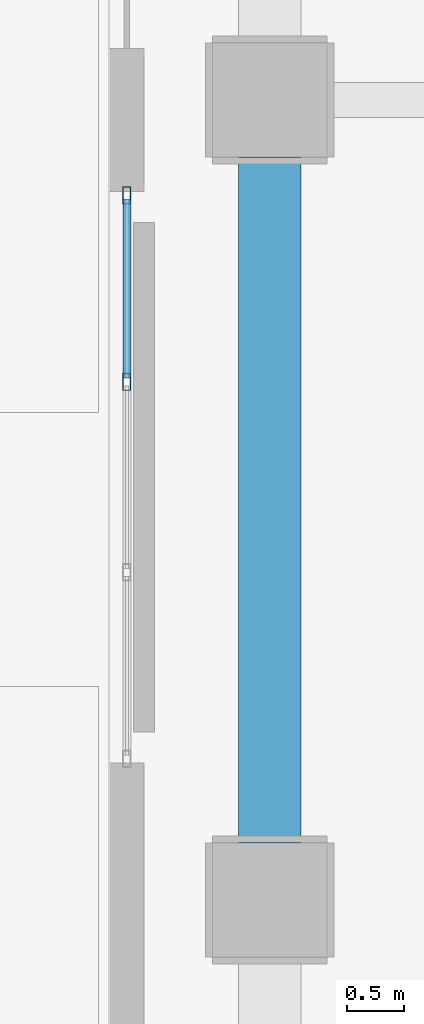
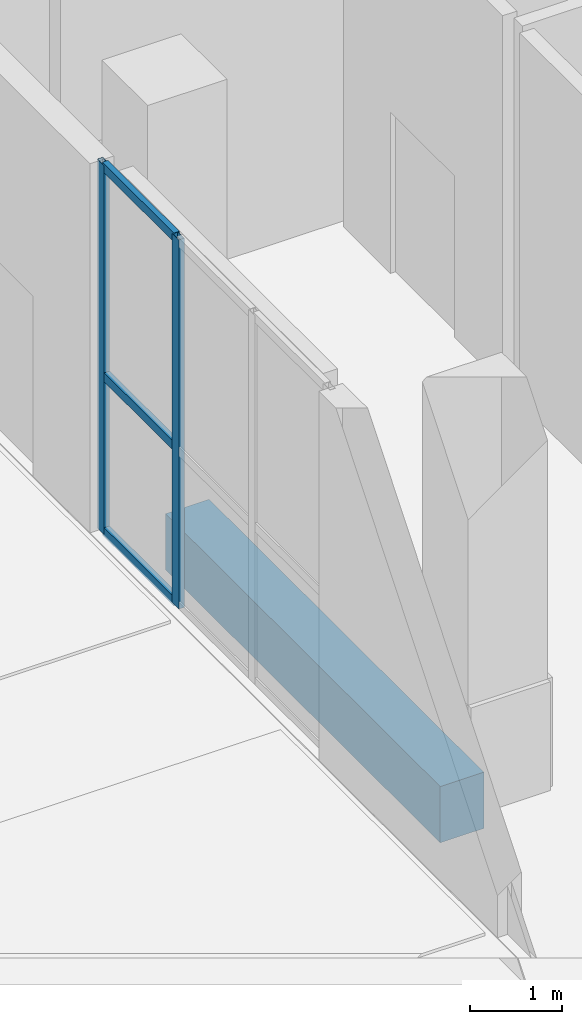
# One storey, part 12 of 30: 5 members, 1 beam, 1 element without a shape of its own.
"""IFC4 building model written with IfcOpenShell, lengths in metres."""

from ifc_helpers import new_model, si_unit, direction, frame, origin, origin_2d, place, context, subcontext, project, spatial, rectangle, hollow_rectangle, extrude, material, layer, layer_set, material_profile, profile_set, type_object, element, aggregate, save


model = new_model("IFC4")

# Units and contexts
model_context = context("Model", 3, precision=1e-05, world=origin(), true_north=direction((0.0, 1.0)))
body_context = subcontext(model_context, "Body", "Model", "MODEL_VIEW")
ifc_project = project(units=[si_unit("LENGTHUNIT", "METRE"), si_unit("AREAUNIT", "SQUARE_METRE"), si_unit("VOLUMEUNIT", "CUBIC_METRE"), si_unit("PLANEANGLEUNIT", "RADIAN"), si_unit("MASSUNIT", "GRAM", prefix="KILO")], contexts=[model_context])

# Site, building, storey
site_placement = place(None, origin())
site = spatial("IfcSite", under=ifc_project, at=site_placement, CompositionType="ELEMENT")
building_placement = place(site_placement, origin())
building = spatial("IfcBuilding", under=site, at=building_placement, Name="Solanera Arch Residences", CompositionType="ELEMENT")
storey_placement = place(building_placement, origin())
storey = spatial("IfcBuildingStorey", under=building, at=storey_placement, Name="L00", CompositionType="ELEMENT", Elevation=0.0)

# Curtain wall, members
ifc_material_1 = material(Name="Anodised Aluminium Alloy 6063-T6", Category="aluminium")
ifc_layer = layer(ifc_material_1, 0.159912109375)
ifc_layer_set = layer_set([ifc_layer], Name="Anodised Aluminium Alloy 6063-T6")
curtain_wall_type = type_object("IfcCurtainWallType", Name="CW-3 Sports Hall Foyer Curtain Wall", PredefinedType="USERDEFINED", material=ifc_layer_set)
curtain_wall_placement = place(storey_placement, origin())
curtain_wall = element("IfcCurtainWall", 1, at=curtain_wall_placement, inside=storey, type_object=curtain_wall_type, Name="L00 Sports Hall Foyer Curtain Wall 2", ObjectType="CURTAIN_WALL", PredefinedType="USERDEFINED")
ifc_material_2 = material(Name="Anodised Aluminium Alloy 6063-T6", Category="aluminium")
ifc_material_profile_1 = material_profile(ifc_material_2, hollow_rectangle(XDim=0.070068359375, YDim=0.14990234375, WallThickness=0.00390625, at=origin_2d()))
ifc_profile_set_1 = profile_set([ifc_material_profile_1], Name="Anodised Aluminium Alloy 6063-T6")
member_type_1 = type_object("IfcMemberType", Name="Curtain Wall Mullion ALU-MUL-70X150", PredefinedType="MULLION", material=ifc_profile_set_1)
member_1_placement = place(storey_placement, frame((54.550048828125, 38.933349609375, 0.0), z_axis=(0.0, 0.0, 1.0), x_axis=(-1.0, 0.0, 0.0)))
member_1 = element("IfcMember", 2, at=member_1_placement, type_object=member_type_1, Name="CW-3 mullion 3", PredefinedType="MULLION", context=body_context, shape_type="SweptSolid", body=[
    extrude(hollow_rectangle(XDim=0.070068359375, YDim=0.14990234375, WallThickness=0.00390625, at=origin_2d()), origin(), (0.0, 0.0, 1.0), 4.919921875),
])
member_2_placement = place(storey_placement, frame((54.550048828125, 40.56494140625, 0.0), z_axis=(0.0, 0.0, 1.0), x_axis=(-1.0, 0.0, 0.0)))
member_2 = element("IfcMember", 3, at=member_2_placement, type_object=member_type_1, Name="CW-3 mullion 4", PredefinedType="MULLION", context=body_context, shape_type="SweptSolid", body=[
    extrude(hollow_rectangle(XDim=0.070068359375, YDim=0.14990234375, WallThickness=0.00390625, at=origin_2d()), origin(), (0.0, 0.0, 1.0), 4.919921875),
])
ifc_material_3 = material(Name="Anodised Aluminium Alloy 6063-T6", Category="aluminium")
ifc_material_profile_2 = material_profile(ifc_material_3, hollow_rectangle(XDim=0.070068359375, YDim=0.1201171875, WallThickness=0.00390625, at=origin_2d()))
ifc_profile_set_2 = profile_set([ifc_material_profile_2], Name="Anodised Aluminium Alloy 6063-T6")
member_type_2 = type_object("IfcMemberType", Name="Curtain Wall Transom ALU-TRN-70X120", PredefinedType="USERDEFINED", material=ifc_profile_set_2)
member_3_placement = place(storey_placement, frame((54.550048828125, 38.96826171875, 0.034912109375), z_axis=(0.0, 1.0, 0.0), x_axis=(-1.0, 0.0, 0.0)))
member_3 = element("IfcMember", 4, at=member_3_placement, type_object=member_type_2, Name="CW-3 transom 3.1", ObjectType="TRANSOM", PredefinedType="USERDEFINED", context=body_context, shape_type="SweptSolid", body=[
    extrude(hollow_rectangle(XDim=0.070068359375, YDim=0.1201171875, WallThickness=0.00390625, at=origin_2d()), origin(), (0.0, 0.0, 1.0), 1.561767578125),
])
member_4_placement = place(storey_placement, frame((54.550048828125, 38.96826171875, 2.10009765625), z_axis=(0.0, 1.0, 0.0), x_axis=(-1.0, 0.0, 0.0)))
member_4 = element("IfcMember", 5, at=member_4_placement, type_object=member_type_2, Name="CW-3 transom 3.2", ObjectType="TRANSOM", PredefinedType="USERDEFINED", context=body_context, shape_type="SweptSolid", body=[
    extrude(hollow_rectangle(XDim=0.070068359375, YDim=0.1201171875, WallThickness=0.00390625, at=origin_2d()), origin(), (0.0, 0.0, 1.0), 1.561767578125),
])
member_5_placement = place(storey_placement, frame((54.550048828125, 38.96826171875, 4.885009765625), z_axis=(0.0, 1.0, 0.0), x_axis=(-1.0, 0.0, 0.0)))
member_5 = element("IfcMember", 6, at=member_5_placement, type_object=member_type_2, Name="CW-3 transom 3.3", ObjectType="TRANSOM", PredefinedType="USERDEFINED", context=body_context, shape_type="SweptSolid", body=[
    extrude(hollow_rectangle(XDim=0.070068359375, YDim=0.1201171875, WallThickness=0.00390625, at=origin_2d()), origin(), (0.0, 0.0, 1.0), 1.561767578125),
])
aggregate(curtain_wall, [member_1, member_2, member_3, member_4, member_5])

# Beam
ifc_material_4 = material(Name="Concrete C40/50 (f'c = 45 MPa)", Category="concrete")
ifc_material_profile_3 = material_profile(ifc_material_4, rectangle(XDim=0.550048828125, YDim=0.75, at=origin_2d()))
ifc_profile_set_3 = profile_set([ifc_material_profile_3], Name="Concrete C40/50 (f'c = 45 MPa)")
beam_type = type_object("IfcBeamType", Name="Primary Beam RC-BM-550X750", PredefinedType="BEAM", material=ifc_profile_set_3)
beam_placement = place(storey_placement, frame((55.800048828125, 34.89990234375, -0.695068359375), z_axis=(0.0, 1.0, 0.0), x_axis=(-1.0, 0.0, 0.0)))
element("IfcBeam", 7, at=beam_placement, inside=storey, type_object=beam_type, Name="BM-L00-HW-4", PredefinedType="BEAM", context=body_context, shape_type="SweptSolid", body=[
    extrude(rectangle(XDim=0.550048828125, YDim=0.75, at=origin_2d()), origin(), (0.0, 0.0, 1.0), 6.0),
])

save(model, "model.ifc")
